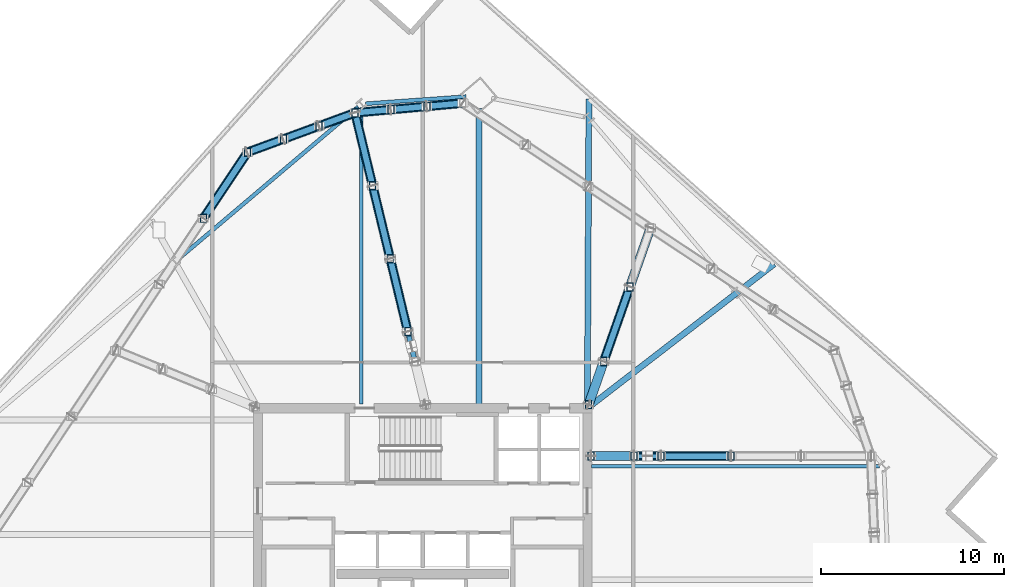
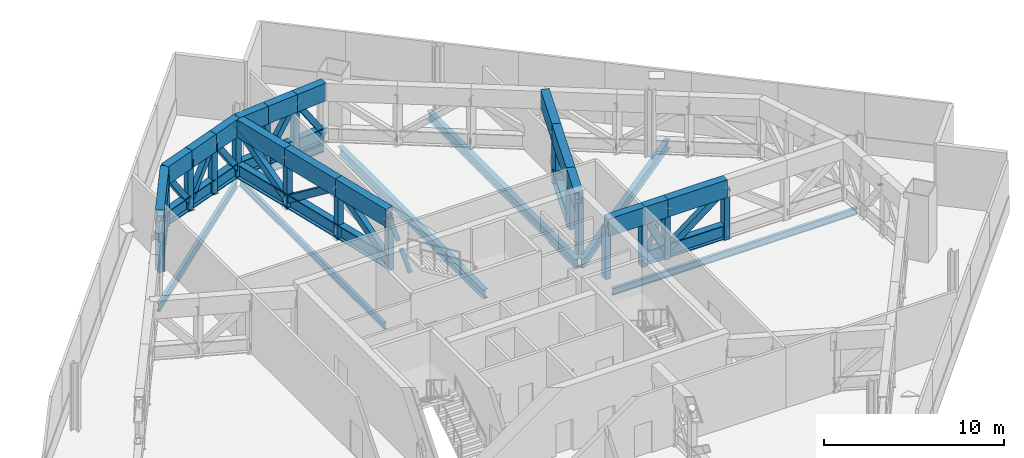
# One storey, part 5 of 18: 63 members, 7 beams.
"""IFC4 building model written with IfcOpenShell, lengths in metres."""

from ifc_helpers import new_model, si_unit, direction, frame, origin, origin_2d, place, context, subcontext, project, spatial, hollow_rectangle, hollow_circle, i_section, extrude, material, material_profile, profile_set, type_object, element, save


model = new_model("IFC4")

# Units and contexts
model_context = context("Model", 3, precision=1e-05, world=origin(), true_north=direction((0.0, 1.0)))
body_context = subcontext(model_context, "Body", "Model", "MODEL_VIEW")
ifc_project = project(units=[si_unit("LENGTHUNIT", "METRE"), si_unit("AREAUNIT", "SQUARE_METRE"), si_unit("VOLUMEUNIT", "CUBIC_METRE"), si_unit("PLANEANGLEUNIT", "RADIAN"), si_unit("MASSUNIT", "GRAM", prefix="KILO")], contexts=[model_context])

# Site, building, storey
site_placement = place(None, origin())
site = spatial("IfcSite", under=ifc_project, at=site_placement, CompositionType="ELEMENT")
building_placement = place(site_placement, origin())
building = spatial("IfcBuilding", under=site, at=building_placement, Name="Haldenkirk Collegiate Tower", CompositionType="ELEMENT")
storey_placement = place(building_placement, frame((0.0, 0.0, 189.449951171875)))
storey = spatial("IfcBuildingStorey", under=building, at=storey_placement, Name="L47", CompositionType="ELEMENT", Elevation=189.449951171875)

# Beams
ifc_material_1 = material(Name="Steel ASTM A992 Grade 50", Category="steel")
ifc_material_profile_1 = material_profile(ifc_material_1, i_section(OverallWidth=0.324951171875, OverallDepth=0.615966796875, WebThickness=0.013916015625, FlangeThickness=0.021484375, at=origin_2d()), Name="W24X117")
ifc_profile_set_1 = profile_set([ifc_material_profile_1], Name="Steel ASTM A992 Grade 50")
beam_type_1 = type_object("IfcBeamType", Name="BM-GIRDER-W24X117", PredefinedType="BEAM", material=ifc_profile_set_1)
beam_1_placement = place(storey_placement, frame((39.076904296875, 50.3701171875, -0.718017578125), z_axis=(0.0, -1.0, 0.0), x_axis=(1.0, 0.0, 0.0)))
element("IfcBeam", 1, at=beam_1_placement, inside=storey, type_object=beam_type_1, Name="L47 primary floor girder 03", PredefinedType="BEAM", context=body_context, shape_type="SweptSolid", body=[
    extrude(i_section(OverallWidth=0.324951171875, OverallDepth=0.615966796875, WebThickness=0.013916015625, FlangeThickness=0.021484375, at=origin_2d()), origin(), (0.0, 0.0, 1.0), 16.14013671875),
])
beam_2_placement = place(storey_placement, frame((55.204833984375, 41.876953125, -0.718017578125), z_axis=(-0.791599975086, -0.611039670925, 0.0), x_axis=(0.611039670925, -0.791599975086, 0.0)))
element("IfcBeam", 2, at=beam_2_placement, inside=storey, type_object=beam_type_1, Name="L47 primary floor girder 09", PredefinedType="BEAM", context=body_context, shape_type="SweptSolid", body=[
    extrude(i_section(OverallWidth=0.324951171875, OverallDepth=0.615966796875, WebThickness=0.013916015625, FlangeThickness=0.021484375, at=origin_2d()), origin(), (0.0, 0.0, 1.0), 12.661376953125),
])
beam_3_placement = place(storey_placement, frame((45.085205078125, 50.893310546875, -0.718017578125), z_axis=(-0.005040007485, -0.999987299082, 0.0), x_axis=(0.999987299082, -0.005040007485, 0.0)))
element("IfcBeam", 3, at=beam_3_placement, inside=storey, type_object=beam_type_1, Name="L47 primary floor girder 10", PredefinedType="BEAM", context=body_context, shape_type="SweptSolid", body=[
    extrude(i_section(OverallWidth=0.324951171875, OverallDepth=0.615966796875, WebThickness=0.013916015625, FlangeThickness=0.021484375, at=origin_2d()), origin(), (0.0, 0.0, 1.0), 16.66357421875),
])
ifc_material_profile_2 = material_profile(ifc_material_1, i_section(OverallWidth=0.18994140625, OverallDepth=0.45703125, WebThickness=0.009033203125, FlangeThickness=0.014404296875, at=origin_2d()), Name="W18X50")
ifc_profile_set_2 = profile_set([ifc_material_profile_2], Name="Steel ASTM A992 Grade 50")
beam_type_2 = type_object("IfcBeamType", Name="BM-JOIST-W18X50", PredefinedType="JOIST", material=ifc_profile_set_2)
beam_4_placement = place(storey_placement, frame((60.970458984375, 30.82421875, -0.638427734375), z_axis=(-1.0, 0.0, 0.0), x_axis=(0.0, -1.0, 0.0)))
element("IfcBeam", 4, at=beam_4_placement, inside=storey, type_object=beam_type_2, Name="L47 composite floor joist 08", PredefinedType="JOIST", context=body_context, shape_type="SweptSolid", body=[
    extrude(i_section(OverallWidth=0.18994140625, OverallDepth=0.45703125, WebThickness=0.009033203125, FlangeThickness=0.014404296875, at=origin_2d()), origin(), (0.0, 0.0, 1.0), 15.740478515625),
])
beam_5_placement = place(storey_placement, frame((32.657470703125, 50.390380859375, -0.638427734375), z_axis=(0.0, -1.0, 0.0), x_axis=(1.0, 0.0, 0.0)))
element("IfcBeam", 5, at=beam_5_placement, inside=storey, type_object=beam_type_2, Name="L47 composite floor joist 11", PredefinedType="JOIST", context=body_context, shape_type="SweptSolid", body=[
    extrude(i_section(OverallWidth=0.18994140625, OverallDepth=0.45703125, WebThickness=0.009033203125, FlangeThickness=0.014404296875, at=origin_2d()), origin(), (0.0, 0.0, 1.0), 16.160400390625),
])
ifc_material_profile_3 = material_profile(ifc_material_1, i_section(OverallWidth=0.2119140625, OverallDepth=0.5439453125, WebThickness=0.01318359375, FlangeThickness=0.021240234375, at=origin_2d()), Name="W21X83")
ifc_profile_set_3 = profile_set([ifc_material_profile_3], Name="Steel ASTM A992 Grade 50")
beam_type_3 = type_object("IfcBeamType", Name="BM-SPANDREL-W21X83", PredefinedType="SPANDREL", material=ifc_profile_set_3)
beam_6_placement = place(storey_placement, frame((38.373779296875, 51.025146484375, -0.681884765625), z_axis=(-0.997489017738, -0.070821320891, 0.0), x_axis=(0.070821320891, -0.997489017738, 0.0)))
element("IfcBeam", 6, at=beam_6_placement, inside=storey, type_object=beam_type_3, Name="L47 perimeter spandrel beam 09", PredefinedType="SPANDREL", context=body_context, shape_type="SweptSolid", body=[
    extrude(i_section(OverallWidth=0.2119140625, OverallDepth=0.5439453125, WebThickness=0.01318359375, FlangeThickness=0.021240234375, at=origin_2d()), origin(), (0.0, 0.0, 1.0), 5.501953125),
])
beam_7_placement = place(storey_placement, frame((32.482666015625, 50.471435546875, -0.681884765625), z_axis=(-0.763233335078, -0.646122957514, 0.0), x_axis=(0.646122957514, -0.763233335078, 0.0)))
element("IfcBeam", 7, at=beam_7_placement, inside=storey, type_object=beam_type_3, Name="L47 perimeter spandrel beam 10", PredefinedType="SPANDREL", context=body_context, shape_type="SweptSolid", body=[
    extrude(i_section(OverallWidth=0.2119140625, OverallDepth=0.5439453125, WebThickness=0.01318359375, FlangeThickness=0.021240234375, at=origin_2d()), origin(), (0.0, 0.0, 1.0), 12.898193359375),
])

# Members
ifc_material_2 = material(Name="Steel ASTM A572 Grade 50", Category="steel")
ifc_material_profile_4 = material_profile(ifc_material_2, hollow_rectangle(XDim=0.5, YDim=1.199951171875, WallThickness=0.050048828125, at=origin_2d()), Name="BOX1200X500X50")
ifc_profile_set_4 = profile_set([ifc_material_profile_4], Name="Steel ASTM A572 Grade 50")
member_type_1 = type_object("IfcMemberType", Name="MBR-CHORD-BOX1200", PredefinedType="CHORD", material=ifc_profile_set_4)
member_1_placement = place(storey_placement, frame((45.199951171875, 31.3837890625, 3.489990234375), z_axis=(1.0, 0.0, 0.0), x_axis=(0.0, 1.0, 0.0)))
element("IfcMember", 8, at=member_1_placement, inside=storey, type_object=member_type_1, Name="Outrigger Truss L47 Radial 02 top chord 1", PredefinedType="CHORD", context=body_context, shape_type="SweptSolid", body=[
    extrude(hollow_rectangle(XDim=0.5, YDim=1.199951171875, WallThickness=0.050048828125, at=origin_2d()), origin(), (0.0, 0.0, 1.0), 2.35009765625),
])
member_2_placement = place(storey_placement, frame((47.550048828125, 31.3837890625, 3.489990234375), z_axis=(1.0, 0.0, 0.0), x_axis=(0.0, 1.0, 0.0)))
element("IfcMember", 9, at=member_2_placement, inside=storey, type_object=member_type_1, Name="Outrigger Truss L47 Radial 02 top chord 2", PredefinedType="CHORD", context=body_context, shape_type="SweptSolid", body=[
    extrude(hollow_rectangle(XDim=0.5, YDim=1.199951171875, WallThickness=0.050048828125, at=origin_2d()), origin(), (0.0, 0.0, 1.0), 1.471435546875),
])
member_3_placement = place(storey_placement, frame((49.021484375, 31.3837890625, 3.489990234375), z_axis=(1.0, 0.0, 0.0), x_axis=(0.0, 1.0, 0.0)))
element("IfcMember", 10, at=member_3_placement, inside=storey, type_object=member_type_1, Name="Outrigger Truss L47 Radial 02 top chord 3", PredefinedType="CHORD", context=body_context, shape_type="SweptSolid", body=[
    extrude(hollow_rectangle(XDim=0.5, YDim=1.199951171875, WallThickness=0.050048828125, at=origin_2d()), origin(), (0.0, 0.0, 1.0), 3.82177734375),
])
member_4_placement = place(storey_placement, frame((35.19189453125, 38.180908203125, 3.489990234375), z_axis=(-0.234388338653, 0.972143048478, 0.0), x_axis=(-0.972143048478, -0.234388338653, 0.0)))
element("IfcMember", 11, at=member_4_placement, inside=storey, type_object=member_type_1, Name="Outrigger Truss L47 Radial 03 top chord 3", PredefinedType="CHORD", context=body_context, shape_type="SweptSolid", body=[
    extrude(hollow_rectangle(XDim=0.5, YDim=1.199951171875, WallThickness=0.050048828125, at=origin_2d()), origin(), (0.0, 0.0, 1.0), 4.100830078125),
])
member_5_placement = place(storey_placement, frame((34.230712890625, 42.16748046875, 3.489990234375), z_axis=(-0.234431033873, 0.972132753464, 0.0), x_axis=(-0.972132753464, -0.234431033873, 0.0)))
element("IfcMember", 12, at=member_5_placement, inside=storey, type_object=member_type_1, Name="Outrigger Truss L47 Radial 03 top chord 4", PredefinedType="CHORD", context=body_context, shape_type="SweptSolid", body=[
    extrude(hollow_rectangle(XDim=0.5, YDim=1.199951171875, WallThickness=0.050048828125, at=origin_2d()), origin(), (0.0, 0.0, 1.0), 4.10107421875),
])
member_6_placement = place(storey_placement, frame((33.269287109375, 46.154296875, 3.489990234375), z_axis=(-0.234388338653, 0.972143048478, 0.0), x_axis=(-0.972143048478, -0.234388338653, 0.0)))
element("IfcMember", 13, at=member_6_placement, inside=storey, type_object=member_type_1, Name="Outrigger Truss L47 Radial 03 top chord 5", PredefinedType="CHORD", context=body_context, shape_type="SweptSolid", body=[
    extrude(hollow_rectangle(XDim=0.5, YDim=1.199951171875, WallThickness=0.050048828125, at=origin_2d()), origin(), (0.0, 0.0, 1.0), 4.100830078125),
])
member_7_placement = place(storey_placement, frame((45.066162109375, 34.188720703125, 3.489990234375), z_axis=(0.330593815106, 0.943773134505, 0.0), x_axis=(-0.943773134505, 0.330593815106, 0.0)))
element("IfcMember", 14, at=member_7_placement, inside=storey, type_object=member_type_1, Name="Outrigger Truss L47 Radial 06 top chord 1", PredefinedType="CHORD", context=body_context, shape_type="SweptSolid", body=[
    extrude(hollow_rectangle(XDim=0.5, YDim=1.199951171875, WallThickness=0.050048828125, at=origin_2d()), origin(), (0.0, 0.0, 1.0), 2.501953125),
])
member_8_placement = place(storey_placement, frame((45.893310546875, 36.550048828125, 3.489990234375), z_axis=(0.330544381088, 0.943790449269, 0.0), x_axis=(-0.943790449269, 0.330544381088, 0.0)))
element("IfcMember", 15, at=member_8_placement, inside=storey, type_object=member_type_1, Name="Outrigger Truss L47 Radial 06 top chord 2", PredefinedType="CHORD", context=body_context, shape_type="SweptSolid", body=[
    extrude(hollow_rectangle(XDim=0.5, YDim=1.199951171875, WallThickness=0.050048828125, at=origin_2d()), origin(), (0.0, 0.0, 1.0), 4.317138671875),
])
member_9_placement = place(storey_placement, frame((47.3203125, 40.62451171875, 3.489990234375), z_axis=(0.330605579326, 0.94376901354, 0.0), x_axis=(-0.94376901354, 0.330605579326, 0.0)))
element("IfcMember", 16, at=member_9_placement, inside=storey, type_object=member_type_1, Name="Outrigger Truss L47 Radial 06 top chord 3", PredefinedType="CHORD", context=body_context, shape_type="SweptSolid", body=[
    extrude(hollow_rectangle(XDim=0.5, YDim=1.199951171875, WallThickness=0.050048828125, at=origin_2d()), origin(), (0.0, 0.0, 1.0), 3.409423828125),
])
for number, where, z_axis, x_axis, name in (
    (17, (38.192626953125, 50.66845703125, 3.489990234375), (-0.996008235897, -0.089261380364, 0.0), (0.089261380364, -0.996008235897, 0.0), "Belt Truss L47-08 top chord 1"),
    (18, (36.231201171875, 50.49267578125, 3.489990234375), (-0.995997206497, -0.089384364686, 0.0), (0.089384364686, -0.995997206497, 0.0), "Belt Truss L47-08 top chord 2"),
):
    element("IfcMember", number, at=place(storey_placement, frame(where, z_axis=z_axis, x_axis=x_axis)), inside=storey, type_object=member_type_1, Name=name, PredefinedType="CHORD", context=body_context, shape_type="SweptSolid", body=[
        extrude(hollow_rectangle(XDim=0.5, YDim=1.199951171875, WallThickness=0.050048828125, at=origin_2d()), origin(), (0.0, 0.0, 1.0), 1.96923828125),
    ])
member_10_placement = place(storey_placement, frame((34.269775390625, 50.316650390625, 3.489990234375), z_axis=(-0.99600922349, -0.08925035979, 0.0), x_axis=(0.08925035979, -0.99600922349, 0.0)))
element("IfcMember", 19, at=member_10_placement, inside=storey, type_object=member_type_1, Name="Belt Truss L47-08 top chord 3", PredefinedType="CHORD", context=body_context, shape_type="SweptSolid", body=[
    extrude(hollow_rectangle(XDim=0.5, YDim=1.199951171875, WallThickness=0.050048828125, at=origin_2d()), origin(), (0.0, 0.0, 1.0), 1.969482421875),
])
member_11_placement = place(storey_placement, frame((32.30810546875, 50.140869140625, 3.489990234375), z_axis=(-0.938837256567, -0.344361155884, 0.0), x_axis=(0.344361155884, -0.938837256567, 0.0)))
element("IfcMember", 20, at=member_11_placement, inside=storey, type_object=member_type_1, Name="Belt Truss L47-09 top chord 1", PredefinedType="CHORD", context=body_context, shape_type="SweptSolid", body=[
    extrude(hollow_rectangle(XDim=0.5, YDim=1.199951171875, WallThickness=0.050048828125, at=origin_2d()), origin(), (0.0, 0.0, 1.0), 2.087890625),
])
member_12_placement = place(storey_placement, frame((30.347900390625, 49.421875, 3.489990234375), z_axis=(-0.938823388093, -0.34439896337, 0.0), x_axis=(0.34439896337, -0.938823388093, 0.0)))
element("IfcMember", 21, at=member_12_placement, inside=storey, type_object=member_type_1, Name="Belt Truss L47-09 top chord 2", PredefinedType="CHORD", context=body_context, shape_type="SweptSolid", body=[
    extrude(hollow_rectangle(XDim=0.5, YDim=1.199951171875, WallThickness=0.050048828125, at=origin_2d()), origin(), (0.0, 0.0, 1.0), 2.087646484375),
])
member_13_placement = place(storey_placement, frame((28.387939453125, 48.702880859375, 3.489990234375), z_axis=(-0.938837256567, -0.344361155884, 0.0), x_axis=(0.344361155884, -0.938837256567, 0.0)))
element("IfcMember", 22, at=member_13_placement, inside=storey, type_object=member_type_1, Name="Belt Truss L47-09 top chord 3", PredefinedType="CHORD", context=body_context, shape_type="SweptSolid", body=[
    extrude(hollow_rectangle(XDim=0.5, YDim=1.199951171875, WallThickness=0.050048828125, at=origin_2d()), origin(), (0.0, 0.0, 1.0), 2.087890625),
])
member_14_placement = place(storey_placement, frame((26.427734375, 47.98388671875, 3.489990234375), z_axis=(-0.554101801852, -0.832448913258, 0.0), x_axis=(0.832448913258, -0.554101801852, 0.0)))
element("IfcMember", 23, at=member_14_placement, inside=storey, type_object=member_type_1, Name="Belt Truss L47-10 top chord 1", PredefinedType="CHORD", context=body_context, shape_type="SweptSolid", body=[
    extrude(hollow_rectangle(XDim=0.5, YDim=1.199951171875, WallThickness=0.050048828125, at=origin_2d()), origin(), (0.0, 0.0, 1.0), 4.33203125),
])
ifc_material_3 = material(Name="Steel ASTM A913 Grade 65", Category="steel")
ifc_material_profile_5 = material_profile(ifc_material_3, i_section(OverallWidth=0.423095703125, OverallDepth=0.947998046875, WebThickness=0.02392578125, FlangeThickness=0.042724609375, at=origin_2d()), Name="W36X302")
ifc_profile_set_5 = profile_set([ifc_material_profile_5], Name="Steel ASTM A913 Grade 65")
member_type_2 = type_object("IfcMemberType", Name="MBR-CHORD-W36X302", PredefinedType="CHORD", material=ifc_profile_set_5)
member_15_placement = place(storey_placement, frame((47.550048828125, 31.3837890625, 0.550048828125), z_axis=(1.0, 0.0, 0.0), x_axis=(0.0, 1.0, 0.0)))
element("IfcMember", 24, at=member_15_placement, inside=storey, type_object=member_type_2, Name="Outrigger Truss L47 Radial 02 bottom chord 2", PredefinedType="CHORD", context=body_context, shape_type="SweptSolid", body=[
    extrude(i_section(OverallWidth=0.423095703125, OverallDepth=0.947998046875, WebThickness=0.02392578125, FlangeThickness=0.042724609375, at=origin_2d()), origin(), (0.0, 0.0, 1.0), 1.471435546875),
])
member_16_placement = place(storey_placement, frame((49.021484375, 31.3837890625, 0.550048828125), z_axis=(1.0, 0.0, 0.0), x_axis=(0.0, 1.0, 0.0)))
element("IfcMember", 25, at=member_16_placement, inside=storey, type_object=member_type_2, Name="Outrigger Truss L47 Radial 02 bottom chord 3", PredefinedType="CHORD", context=body_context, shape_type="SweptSolid", body=[
    extrude(i_section(OverallWidth=0.423095703125, OverallDepth=0.947998046875, WebThickness=0.02392578125, FlangeThickness=0.042724609375, at=origin_2d()), origin(), (0.0, 0.0, 1.0), 3.82177734375),
])
member_17_placement = place(storey_placement, frame((35.19189453125, 38.180908203125, 0.550048828125), z_axis=(-0.234388338653, 0.972143048478, 0.0), x_axis=(-0.972143048478, -0.234388338653, 0.0)))
element("IfcMember", 26, at=member_17_placement, inside=storey, type_object=member_type_2, Name="Outrigger Truss L47 Radial 03 bottom chord 3", PredefinedType="CHORD", context=body_context, shape_type="SweptSolid", body=[
    extrude(i_section(OverallWidth=0.423095703125, OverallDepth=0.947998046875, WebThickness=0.02392578125, FlangeThickness=0.042724609375, at=origin_2d()), origin(), (0.0, 0.0, 1.0), 4.100830078125),
])
member_18_placement = place(storey_placement, frame((34.230712890625, 42.16748046875, 0.550048828125), z_axis=(-0.234431033873, 0.972132753464, 0.0), x_axis=(-0.972132753464, -0.234431033873, 0.0)))
element("IfcMember", 27, at=member_18_placement, inside=storey, type_object=member_type_2, Name="Outrigger Truss L47 Radial 03 bottom chord 4", PredefinedType="CHORD", context=body_context, shape_type="SweptSolid", body=[
    extrude(i_section(OverallWidth=0.423095703125, OverallDepth=0.947998046875, WebThickness=0.02392578125, FlangeThickness=0.042724609375, at=origin_2d()), origin(), (0.0, 0.0, 1.0), 4.10107421875),
])
member_19_placement = place(storey_placement, frame((33.269287109375, 46.154296875, 0.550048828125), z_axis=(-0.234388338653, 0.972143048478, 0.0), x_axis=(-0.972143048478, -0.234388338653, 0.0)))
element("IfcMember", 28, at=member_19_placement, inside=storey, type_object=member_type_2, Name="Outrigger Truss L47 Radial 03 bottom chord 5", PredefinedType="CHORD", context=body_context, shape_type="SweptSolid", body=[
    extrude(i_section(OverallWidth=0.423095703125, OverallDepth=0.947998046875, WebThickness=0.02392578125, FlangeThickness=0.042724609375, at=origin_2d()), origin(), (0.0, 0.0, 1.0), 4.100830078125),
])
member_20_placement = place(storey_placement, frame((45.893310546875, 36.550048828125, 0.550048828125), z_axis=(0.330544381088, 0.943790449269, 0.0), x_axis=(-0.943790449269, 0.330544381088, 0.0)))
element("IfcMember", 29, at=member_20_placement, inside=storey, type_object=member_type_2, Name="Outrigger Truss L47 Radial 06 bottom chord 2", PredefinedType="CHORD", context=body_context, shape_type="SweptSolid", body=[
    extrude(i_section(OverallWidth=0.423095703125, OverallDepth=0.947998046875, WebThickness=0.02392578125, FlangeThickness=0.042724609375, at=origin_2d()), origin(), (0.0, 0.0, 1.0), 4.317138671875),
])
for number, where, z_axis, x_axis, name in (
    (30, (38.192626953125, 50.66845703125, 0.550048828125), (-0.996008235897, -0.089261380364, 0.0), (0.089261380364, -0.996008235897, 0.0), "Belt Truss L47-08 bottom chord 1"),
    (31, (36.231201171875, 50.49267578125, 0.550048828125), (-0.995997206497, -0.089384364686, 0.0), (0.089384364686, -0.995997206497, 0.0), "Belt Truss L47-08 bottom chord 2"),
):
    element("IfcMember", number, at=place(storey_placement, frame(where, z_axis=z_axis, x_axis=x_axis)), inside=storey, type_object=member_type_2, Name=name, PredefinedType="CHORD", context=body_context, shape_type="SweptSolid", body=[
        extrude(i_section(OverallWidth=0.423095703125, OverallDepth=0.947998046875, WebThickness=0.02392578125, FlangeThickness=0.042724609375, at=origin_2d()), origin(), (0.0, 0.0, 1.0), 1.96923828125),
    ])
member_21_placement = place(storey_placement, frame((34.269775390625, 50.316650390625, 0.550048828125), z_axis=(-0.99600922349, -0.08925035979, 0.0), x_axis=(0.08925035979, -0.99600922349, 0.0)))
element("IfcMember", 32, at=member_21_placement, inside=storey, type_object=member_type_2, Name="Belt Truss L47-08 bottom chord 3", PredefinedType="CHORD", context=body_context, shape_type="SweptSolid", body=[
    extrude(i_section(OverallWidth=0.423095703125, OverallDepth=0.947998046875, WebThickness=0.02392578125, FlangeThickness=0.042724609375, at=origin_2d()), origin(), (0.0, 0.0, 1.0), 1.969482421875),
])
member_22_placement = place(storey_placement, frame((32.30810546875, 50.140869140625, 0.550048828125), z_axis=(-0.938837256567, -0.344361155884, 0.0), x_axis=(0.344361155884, -0.938837256567, 0.0)))
element("IfcMember", 33, at=member_22_placement, inside=storey, type_object=member_type_2, Name="Belt Truss L47-09 bottom chord 1", PredefinedType="CHORD", context=body_context, shape_type="SweptSolid", body=[
    extrude(i_section(OverallWidth=0.423095703125, OverallDepth=0.947998046875, WebThickness=0.02392578125, FlangeThickness=0.042724609375, at=origin_2d()), origin(), (0.0, 0.0, 1.0), 2.087890625),
])
member_23_placement = place(storey_placement, frame((30.347900390625, 49.421875, 0.550048828125), z_axis=(-0.938823388093, -0.34439896337, 0.0), x_axis=(0.34439896337, -0.938823388093, 0.0)))
element("IfcMember", 34, at=member_23_placement, inside=storey, type_object=member_type_2, Name="Belt Truss L47-09 bottom chord 2", PredefinedType="CHORD", context=body_context, shape_type="SweptSolid", body=[
    extrude(i_section(OverallWidth=0.423095703125, OverallDepth=0.947998046875, WebThickness=0.02392578125, FlangeThickness=0.042724609375, at=origin_2d()), origin(), (0.0, 0.0, 1.0), 2.087646484375),
])
member_24_placement = place(storey_placement, frame((28.387939453125, 48.702880859375, 0.550048828125), z_axis=(-0.938837256567, -0.344361155884, 0.0), x_axis=(0.344361155884, -0.938837256567, 0.0)))
element("IfcMember", 35, at=member_24_placement, inside=storey, type_object=member_type_2, Name="Belt Truss L47-09 bottom chord 3", PredefinedType="CHORD", context=body_context, shape_type="SweptSolid", body=[
    extrude(i_section(OverallWidth=0.423095703125, OverallDepth=0.947998046875, WebThickness=0.02392578125, FlangeThickness=0.042724609375, at=origin_2d()), origin(), (0.0, 0.0, 1.0), 2.087890625),
])
member_25_placement = place(storey_placement, frame((26.427734375, 47.98388671875, 0.550048828125), z_axis=(-0.554101801852, -0.832448913258, 0.0), x_axis=(0.832448913258, -0.554101801852, 0.0)))
element("IfcMember", 36, at=member_25_placement, inside=storey, type_object=member_type_2, Name="Belt Truss L47-10 bottom chord 1", PredefinedType="CHORD", context=body_context, shape_type="SweptSolid", body=[
    extrude(i_section(OverallWidth=0.423095703125, OverallDepth=0.947998046875, WebThickness=0.02392578125, FlangeThickness=0.042724609375, at=origin_2d()), origin(), (0.0, 0.0, 1.0), 4.33203125),
])
ifc_material_profile_6 = material_profile(ifc_material_2, hollow_circle(Radius=0.136474609375, WallThickness=0.011962890625, at=origin_2d()), Name="CHS273X12")
ifc_profile_set_6 = profile_set([ifc_material_profile_6], Name="Steel ASTM A572 Grade 50")
member_type_3 = type_object("IfcMemberType", Name="MBR-STRUT-CHS273", PredefinedType="STRUT", material=ifc_profile_set_6)
for number, where, z_axis, x_axis, name in (
    (37, (47.550048828125, 31.3837890625, 0.550048828125), (0.447630918295, 0.0, 0.894218407877), (0.0, 1.0, 0.0), "Outrigger Truss L47 Radial 02 split X-brace diagonal 2A"),
    (38, (48.393310546875, 31.3837890625, 2.234619140625), (0.447491843172, 0.0, 0.894288013055), (0.0, 1.0, 0.0), "Outrigger Truss L47 Radial 02 split X-brace diagonal 2B"),
):
    element("IfcMember", number, at=place(storey_placement, frame(where, z_axis=z_axis, x_axis=x_axis)), inside=storey, type_object=member_type_3, Name=name, PredefinedType="STRUT", context=body_context, shape_type="SweptSolid", body=[
        extrude(hollow_circle(Radius=0.136474609375, WallThickness=0.011962890625, at=origin_2d()), origin(), (0.0, 0.0, 1.0), 1.40380859375),
    ])
member_26_placement = place(storey_placement, frame((35.585205078125, 36.550048828125, 0.550048828125), z_axis=(-0.11612970733, 0.481829046187, 0.868535929784), x_axis=(-0.97216216133, -0.234309052487, 0.0)))
element("IfcMember", 39, at=member_26_placement, inside=storey, type_object=member_type_3, Name="Outrigger Truss L47 Radial 03 split X-brace diagonal 2A", PredefinedType="STRUT", context=body_context, shape_type="SweptSolid", body=[
    extrude(hollow_circle(Radius=0.136474609375, WallThickness=0.011962890625, at=origin_2d()), origin(), (0.0, 0.0, 1.0), 1.45263671875),
])
member_27_placement = place(storey_placement, frame((35.360595703125, 37.481201171875, 2.228515625), z_axis=(-0.116156067826, 0.481770318943, 0.868564981848), x_axis=(-0.972143536002, -0.234386316601, 0.0)))
element("IfcMember", 40, at=member_27_placement, inside=storey, type_object=member_type_3, Name="Outrigger Truss L47 Radial 03 split X-brace diagonal 2B", PredefinedType="STRUT", context=body_context, shape_type="SweptSolid", body=[
    extrude(hollow_circle(Radius=0.136474609375, WallThickness=0.011962890625, at=origin_2d()), origin(), (0.0, 0.0, 1.0), 1.452392578125),
])
ifc_material_profile_7 = material_profile(ifc_material_2, hollow_rectangle(XDim=0.35009765625, YDim=0.35009765625, WallThickness=0.01611328125, at=origin_2d()), Name="HSS350X350X16")
ifc_profile_set_7 = profile_set([ifc_material_profile_7], Name="Steel ASTM A572 Grade 50")
member_type_4 = type_object("IfcMemberType", Name="MBR-TRUSSDIAG-HSS350X350X16", PredefinedType="BRACE", material=ifc_profile_set_7)
for number, where, z_axis, x_axis, name in (
    (41, (38.192626953125, 50.66845703125, 0.550048828125), (-0.554301913543, -0.049676049011, 0.830831919703), (0.089261380364, -0.996008235897, 0.0), "Belt Truss L47-08 web diagonal 1"),
    (42, (36.231201171875, 50.49267578125, 3.489990234375), (-0.554300012434, -0.049744872911, -0.830829070167), (0.089384364686, -0.995997206497, 0.0), "Belt Truss L47-08 web diagonal 2"),
    (43, (34.269775390625, 50.316650390625, 0.550048828125), (-0.554349706708, -0.049674149201, 0.830800145386), (0.08925035979, -0.99600922349, 0.0), "Belt Truss L47-08 web diagonal 3"),
):
    element("IfcMember", number, at=place(storey_placement, frame(where, z_axis=z_axis, x_axis=x_axis)), inside=storey, type_object=member_type_4, Name=name, PredefinedType="BRACE", context=body_context, shape_type="SweptSolid", body=[
        extrude(hollow_rectangle(XDim=0.35009765625, YDim=0.35009765625, WallThickness=0.01611328125, at=origin_2d()), origin(), (0.0, 0.0, 1.0), 3.53857421875),
    ])
member_28_placement = place(storey_placement, frame((32.30810546875, 50.140869140625, 0.550048828125), z_axis=(-0.543608461849, -0.199393065157, 0.815311134337), x_axis=(0.344361155884, -0.938837256567, 0.0)))
element("IfcMember", 44, at=member_28_placement, inside=storey, type_object=member_type_4, Name="Belt Truss L47-09 web diagonal 1", PredefinedType="BRACE", context=body_context, shape_type="SweptSolid", body=[
    extrude(hollow_rectangle(XDim=0.35009765625, YDim=0.35009765625, WallThickness=0.01611328125, at=origin_2d()), origin(), (0.0, 0.0, 1.0), 3.60595703125),
])
member_29_placement = place(storey_placement, frame((30.347900390625, 49.421875, 3.489990234375), z_axis=(-0.543560761291, -0.199400403837, -0.815341141937), x_axis=(0.34439896337, -0.938823388093, 0.0)))
element("IfcMember", 45, at=member_29_placement, inside=storey, type_object=member_type_4, Name="Belt Truss L47-09 web diagonal 2", PredefinedType="BRACE", context=body_context, shape_type="SweptSolid", body=[
    extrude(hollow_rectangle(XDim=0.35009765625, YDim=0.35009765625, WallThickness=0.01611328125, at=origin_2d()), origin(), (0.0, 0.0, 1.0), 3.605712890625),
])
member_30_placement = place(storey_placement, frame((28.387939453125, 48.702880859375, 0.550048828125), z_axis=(-0.543608461849, -0.199393065157, 0.815311134337), x_axis=(0.344361155884, -0.938837256567, 0.0)))
element("IfcMember", 46, at=member_30_placement, inside=storey, type_object=member_type_4, Name="Belt Truss L47-09 web diagonal 3", PredefinedType="BRACE", context=body_context, shape_type="SweptSolid", body=[
    extrude(hollow_rectangle(XDim=0.35009765625, YDim=0.35009765625, WallThickness=0.01611328125, at=origin_2d()), origin(), (0.0, 0.0, 1.0), 3.60595703125),
])
member_31_placement = place(storey_placement, frame((26.427734375, 47.98388671875, 0.550048828125), z_axis=(-0.458488925266, -0.688805931154, 0.561546342357), x_axis=(0.832448913258, -0.554101801852, 0.0)))
element("IfcMember", 47, at=member_31_placement, inside=storey, type_object=member_type_4, Name="Belt Truss L47-10 web diagonal 1", PredefinedType="BRACE", context=body_context, shape_type="SweptSolid", body=[
    extrude(hollow_rectangle(XDim=0.35009765625, YDim=0.35009765625, WallThickness=0.01611328125, at=origin_2d()), origin(), (0.0, 0.0, 1.0), 5.2353515625),
])
ifc_material_profile_8 = material_profile(ifc_material_2, hollow_rectangle(XDim=0.35009765625, YDim=0.449951171875, WallThickness=0.02197265625, at=origin_2d()), Name="HSS450X350X22")
ifc_profile_set_8 = profile_set([ifc_material_profile_8], Name="Steel ASTM A572 Grade 50")
member_type_5 = type_object("IfcMemberType", Name="MBR-TRUSSDIAG-HSS450X350X22", PredefinedType="BRACE", material=ifc_profile_set_8)
member_32_placement = place(storey_placement, frame((47.550048828125, 31.3837890625, 3.489990234375), z_axis=(0.447570011962, 0.0, -0.894248893984), x_axis=(0.0, 1.0, 0.0)))
element("IfcMember", 48, at=member_32_placement, inside=storey, type_object=member_type_5, Name="Outrigger Truss L47 Radial 02 web diagonal 2", PredefinedType="BRACE", context=body_context, shape_type="SweptSolid", body=[
    extrude(hollow_rectangle(XDim=0.35009765625, YDim=0.449951171875, WallThickness=0.02197265625, at=origin_2d()), origin(), (0.0, 0.0, 1.0), 3.28759765625),
])
member_33_placement = place(storey_placement, frame((49.021484375, 31.3837890625, 0.550048828125), z_axis=(0.79261269531, 0.0, 0.609725442502), x_axis=(0.0, 1.0, 0.0)))
element("IfcMember", 49, at=member_33_placement, inside=storey, type_object=member_type_5, Name="Outrigger Truss L47 Radial 02 web diagonal 3", PredefinedType="BRACE", context=body_context, shape_type="SweptSolid", body=[
    extrude(hollow_rectangle(XDim=0.35009765625, YDim=0.449951171875, WallThickness=0.02197265625, at=origin_2d()), origin(), (0.0, 0.0, 1.0), 4.82177734375),
])
for number, where, z_axis, x_axis, name in (
    (50, (35.19189453125, 38.180908203125, 0.550048828125), (-0.190492225707, 0.790080658768, 0.582653640326), (-0.972143048478, -0.234388338653, 0.0), "Outrigger Truss L47 Radial 03 web diagonal 3"),
    (51, (34.230712890625, 42.16748046875, 3.489990234375), (-0.190531570801, 0.790091556926, -0.582625996847), (-0.972132753464, -0.234431033873, 0.0), "Outrigger Truss L47 Radial 03 web diagonal 4"),
    (52, (33.269287109375, 46.154296875, 0.550048828125), (-0.190492225707, 0.790080658768, 0.582653640326), (-0.972143048478, -0.234388338653, 0.0), "Outrigger Truss L47 Radial 03 web diagonal 5"),
):
    element("IfcMember", number, at=place(storey_placement, frame(where, z_axis=z_axis, x_axis=x_axis)), inside=storey, type_object=member_type_5, Name=name, PredefinedType="BRACE", context=body_context, shape_type="SweptSolid", body=[
        extrude(hollow_rectangle(XDim=0.35009765625, YDim=0.449951171875, WallThickness=0.02197265625, at=origin_2d()), origin(), (0.0, 0.0, 1.0), 5.0458984375),
    ])
member_34_placement = place(storey_placement, frame((45.893310546875, 36.550048828125, 3.489990234375), z_axis=(0.273209448768, 0.780084258423, -0.562872229608), x_axis=(-0.943790449269, 0.330544381088, 0.0)))
element("IfcMember", 53, at=member_34_placement, inside=storey, type_object=member_type_5, Name="Outrigger Truss L47 Radial 06 web diagonal 2", PredefinedType="BRACE", context=body_context, shape_type="SweptSolid", body=[
    extrude(hollow_rectangle(XDim=0.35009765625, YDim=0.449951171875, WallThickness=0.02197265625, at=origin_2d()), origin(), (0.0, 0.0, 1.0), 5.22314453125),
])
ifc_material_profile_9 = material_profile(ifc_material_2, hollow_rectangle(XDim=0.35009765625, YDim=0.449951171875, WallThickness=0.02197265625, at=origin_2d()), Name="HSS450X350X22")
ifc_profile_set_9 = profile_set([ifc_material_profile_9], Name="Steel ASTM A572 Grade 50")
member_type_6 = type_object("IfcMemberType", Name="MBR-TRUSSPOST-HSS450X350X22", PredefinedType="POST", material=ifc_profile_set_9)
for number, where, z_axis, x_axis, name in (
    (54, (45.199951171875, 31.3837890625, 0.0), (0.0, 0.0, 1.0), (1.0, 0.0, 0.0), "Outrigger Truss L47 Radial 02 vertical post 1"),
    (55, (47.550048828125, 31.3837890625, 0.0), (0.0, 0.0, 1.0), (1.0, 0.0, 0.0), "Outrigger Truss L47 Radial 02 vertical post 2"),
    (56, (49.021484375, 31.3837890625, 0.0), (0.0, 0.0, 1.0), (1.0, 0.0, 0.0), "Outrigger Truss L47 Radial 02 vertical post 3"),
    (57, (52.84326171875, 31.3837890625, 0.0), (0.0, 0.0, 1.0), (1.0, 0.0, 0.0), "Outrigger Truss L47 Radial 02 vertical post 4"),
    (58, (35.19189453125, 38.180908203125, 0.0), (0.0, 0.0, 1.0), (1.0, 0.0, 0.0), "Outrigger Truss L47 Radial 03 vertical post 3"),
    (59, (34.230712890625, 42.16748046875, 0.0), (0.0, 0.0, 1.0), (1.0, 0.0, 0.0), "Outrigger Truss L47 Radial 03 vertical post 4"),
    (60, (33.269287109375, 46.154296875, 0.0), (0.0, 0.0, 1.0), (1.0, 0.0, 0.0), "Outrigger Truss L47 Radial 03 vertical post 5"),
    (61, (32.30810546875, 50.140869140625, 0.0), (0.0, 0.0, 1.0), (1.0, 0.0, 0.0), "Outrigger Truss L47 Radial 03 vertical post 6"),
    (62, (45.066162109375, 34.188720703125, 0.0), (0.0, 0.0, 1.0), (1.0, 0.0, 0.0), "Outrigger Truss L47 Radial 06 vertical post 1"),
    (63, (45.893310546875, 36.550048828125, 0.0), (0.0, 0.0, 1.0), (1.0, 0.0, 0.0), "Outrigger Truss L47 Radial 06 vertical post 2"),
    (64, (47.3203125, 40.62451171875, 0.0), (0.0, 0.0, 1.0), (1.0, 0.0, 0.0), "Outrigger Truss L47 Radial 06 vertical post 3"),
    (65, (36.231201171875, 50.49267578125, 0.0), (0.0, 0.0, 1.0), (1.0, 0.0, 0.0), "Belt Truss L47-08 vertical post 2"),
    (66, (34.269775390625, 50.316650390625, 0.0), (0.0, 0.0, 1.0), (1.0, 0.0, 0.0), "Belt Truss L47-08 vertical post 3"),
    (67, (30.347900390625, 49.421875, 0.0), (0.0, 0.0, 1.0), (1.0, 0.0, 0.0), "Belt Truss L47-09 vertical post 2"),
    (68, (28.387939453125, 48.702880859375, 0.0), (0.0, 0.0, 1.0), (1.0, 0.0, 0.0), "Belt Truss L47-09 vertical post 3"),
    (69, (26.427734375, 47.98388671875, 0.0), (0.0, 0.0, 1.0), (1.0, 0.0, 0.0), "Belt Truss L47-09 vertical post 4"),
    (70, (24.02734375, 44.377685546875, 0.0), (0.0, 0.0, 1.0), (1.0, 0.0, 0.0), "Belt Truss L47-10 vertical post 2"),
):
    element("IfcMember", number, at=place(storey_placement, frame(where, z_axis=z_axis, x_axis=x_axis)), inside=storey, type_object=member_type_6, Name=name, PredefinedType="POST", context=body_context, shape_type="SweptSolid", body=[
        extrude(hollow_rectangle(XDim=0.35009765625, YDim=0.449951171875, WallThickness=0.02197265625, at=origin_2d()), origin(), (0.0, 0.0, 1.0), 3.489990234375),
    ])

save(model, "model.ifc")
